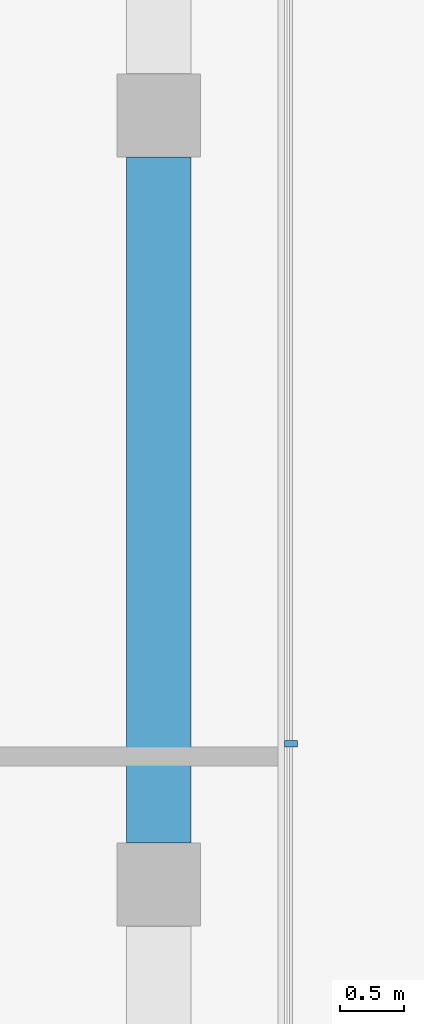
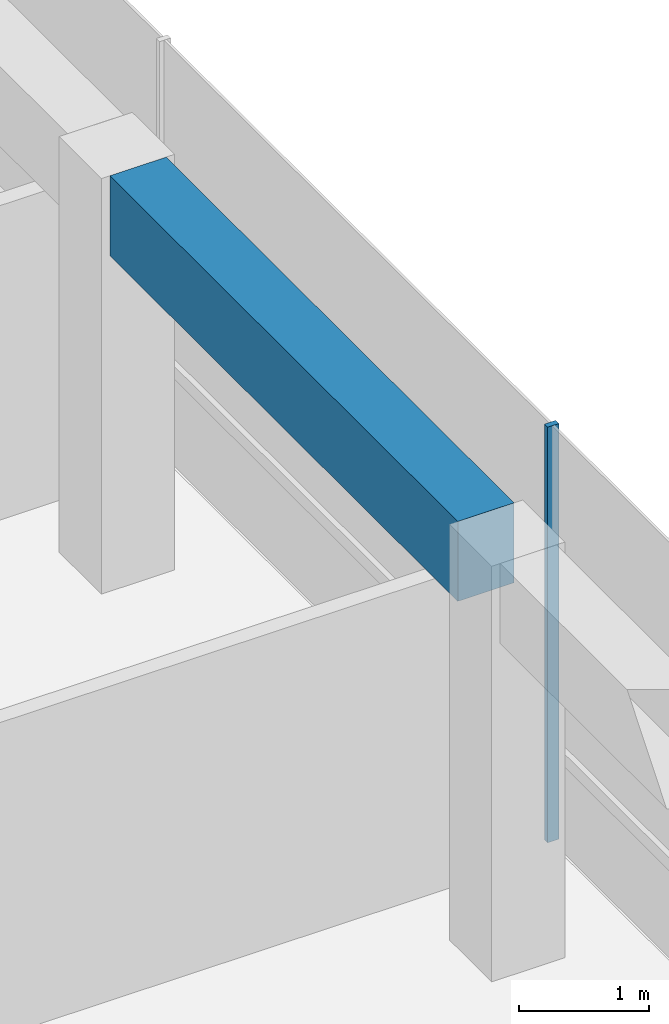
# One storey, part 12 of 22: 1 beam, 1 member, 1 element without a shape of its own.
"""IFC4 building model written with IfcOpenShell, lengths in metres."""

from ifc_helpers import new_model, si_unit, direction, frame, origin, origin_2d, place, context, subcontext, project, spatial, rectangle, extrude, material, layer, layer_set, material_profile, profile_set, type_object, element, aggregate, save


model = new_model("IFC4")

# Units and contexts
model_context = context("Model", 3, precision=1e-05, world=origin(), true_north=direction((0.0, 1.0)))
body_context = subcontext(model_context, "Body", "Model", "MODEL_VIEW")
ifc_project = project(units=[si_unit("LENGTHUNIT", "METRE"), si_unit("AREAUNIT", "SQUARE_METRE"), si_unit("VOLUMEUNIT", "CUBIC_METRE"), si_unit("PLANEANGLEUNIT", "RADIAN"), si_unit("MASSUNIT", "GRAM", prefix="KILO")], contexts=[model_context])

# Site, building, storey
site_placement = place(None, origin())
site = spatial("IfcSite", under=ifc_project, at=site_placement, CompositionType="ELEMENT")
building_placement = place(site_placement, origin())
building = spatial("IfcBuilding", under=site, at=building_placement, Name="Welwitschia Terrace Campus", CompositionType="ELEMENT")
storey_placement = place(building_placement, frame((0.0, 0.0, 318.800048828125)))
storey = spatial("IfcBuildingStorey", under=building, at=storey_placement, Name="L71", CompositionType="ELEMENT", Elevation=318.800048828125)

# Curtain wall, member
ifc_material_1 = material(Name="Bronze anodised aluminium", Category="aluminium")
ifc_layer = layer(ifc_material_1, 0.10009765625)
ifc_layer_set = layer_set([ifc_layer], Name="Bronze anodised aluminium")
curtain_wall_type = type_object("IfcCurtainWallType", Name="Curtain wall CW5 crown 6000", PredefinedType="NOTDEFINED", material=ifc_layer_set)
curtain_wall_placement = place(storey_placement, origin())
curtain_wall = element("IfcCurtainWall", 1, at=curtain_wall_placement, inside=storey, type_object=curtain_wall_type, Name="CW L71.5.0", PredefinedType="NOTDEFINED")
ifc_material_2 = material(Name="Bronze anodised aluminium", Category="aluminium")
ifc_material_profile_1 = material_profile(ifc_material_2, rectangle(XDim=0.10009765625, YDim=0.050048828125, at=origin_2d()))
ifc_profile_set_1 = profile_set([ifc_material_profile_1], Name="Bronze anodised aluminium")
member_type = type_object("IfcMemberType", Name="Mullion 50x100", PredefinedType="MULLION", material=ifc_profile_set_1)
member_placement = place(storey_placement, frame((25.030029296875, 39.098388671875, 0.0), z_axis=(0.0, 0.0, 1.0), x_axis=(-1.0, 0.0, 0.0)))
member = element("IfcMember", 2, at=member_placement, type_object=member_type, Name="Mullion L71.5.0.3", PredefinedType="MULLION", context=body_context, shape_type="SweptSolid", body=[
    extrude(rectangle(XDim=0.10009765625, YDim=0.050048828125, at=origin_2d()), origin(), (0.0, 0.0, 1.0), 3.89990234375),
])
aggregate(curtain_wall, [member])

# Beam
ifc_material_3 = material(Name="Concrete C40/50", Category="concrete")
ifc_material_profile_2 = material_profile(ifc_material_3, rectangle(XDim=0.5, YDim=0.75, at=origin_2d()))
ifc_profile_set_2 = profile_set([ifc_material_profile_2], Name="Concrete C40/50")
beam_type = type_object("IfcBeamType", Name="Ring spandrel 500x750", PredefinedType="SPANDREL", material=ifc_profile_set_2)
beam_placement = place(storey_placement, frame((24.0, 38.325439453125, 3.52490234375), z_axis=(0.0, 1.0, 0.0), x_axis=(-1.0, 0.0, 0.0)))
element("IfcBeam", 3, at=beam_placement, inside=storey, type_object=beam_type, Name="Spandrel SP5", PredefinedType="SPANDREL", context=body_context, shape_type="SweptSolid", body=[
    extrude(rectangle(XDim=0.5, YDim=0.75, at=origin_2d()), origin(), (0.0, 0.0, 1.0), 5.34912109375),
])

save(model, "model.ifc")
